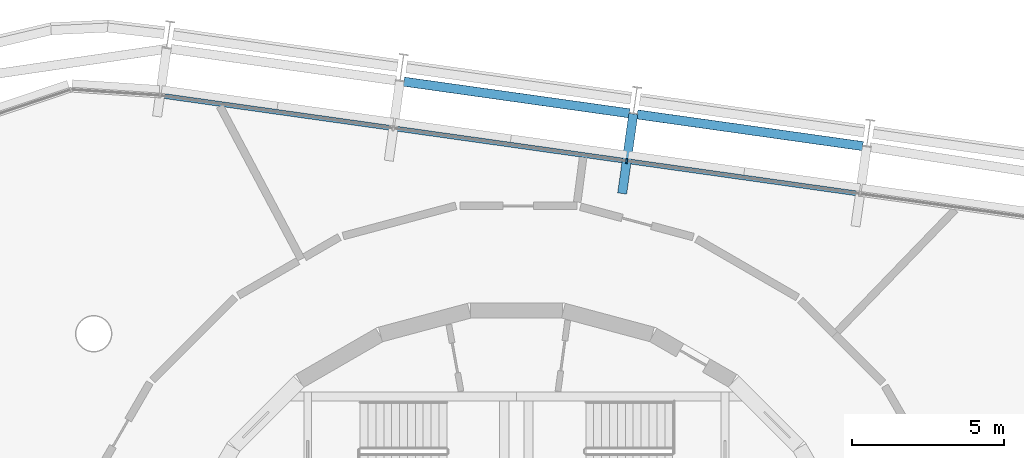
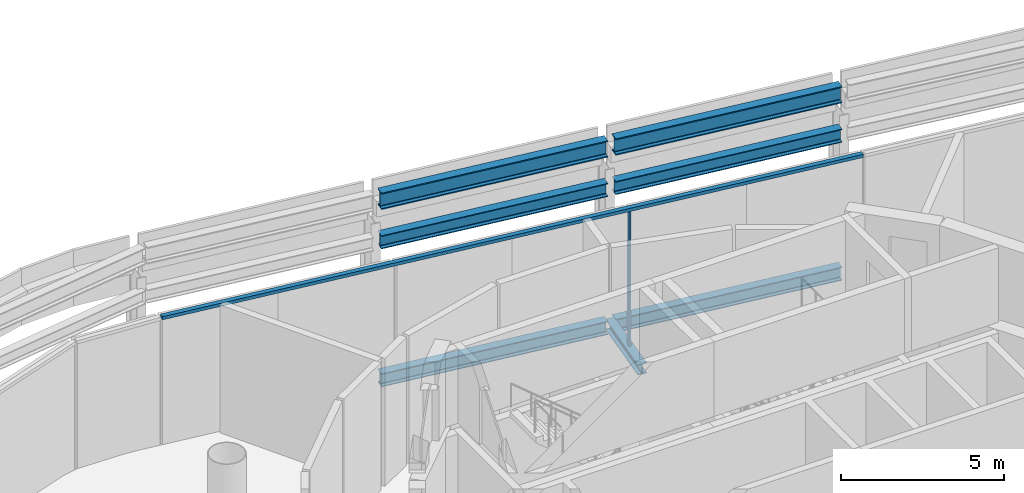
# One storey, part 6 of 15: 7 beams, 2 members, 1 element without a shape of its own.
"""IFC4 building model written with IfcOpenShell, lengths in metres."""

from ifc_helpers import new_model, si_unit, direction, frame, origin, origin_2d, place, context, subcontext, project, spatial, rectangle, i_section, extrude, material, layer, layer_set, material_profile, profile_set, type_object, element, aggregate, save


model = new_model("IFC4")

# Units and contexts
model_context = context("Model", 3, precision=1e-05, world=origin(), true_north=direction((0.0, 1.0)))
body_context = subcontext(model_context, "Body", "Model", "MODEL_VIEW")
ifc_project = project(units=[si_unit("LENGTHUNIT", "METRE"), si_unit("AREAUNIT", "SQUARE_METRE"), si_unit("VOLUMEUNIT", "CUBIC_METRE"), si_unit("PLANEANGLEUNIT", "RADIAN"), si_unit("MASSUNIT", "GRAM", prefix="KILO")], contexts=[model_context])

# Site, building, storey
site_placement = place(None, origin())
site = spatial("IfcSite", under=ifc_project, at=site_placement, CompositionType="ELEMENT")
building_placement = place(site_placement, origin())
building = spatial("IfcBuilding", under=site, at=building_placement, Name="Spindle Arch Residences", CompositionType="ELEMENT")
storey_placement = place(building_placement, frame((0.0, 0.0, 366.199951171875)))
storey = spatial("IfcBuildingStorey", under=building, at=storey_placement, Name="L94", CompositionType="ELEMENT", Elevation=366.199951171875)

# Curtain wall, members
ifc_material_1 = material(Name="Aluminium bronze unitised frame with tinted glass", Category="aluminium")
ifc_layer = layer(ifc_material_1, 0.159912109375)
ifc_layer_set = layer_set([ifc_layer], Name="CW-F crown plant glazed wall")
curtain_wall_type = type_object("IfcCurtainWallType", Name="CW-F crown plant glazed wall", PredefinedType="NOTDEFINED", material=ifc_layer_set)
curtain_wall_placement = place(storey_placement, origin())
curtain_wall = element("IfcCurtainWall", 1, at=curtain_wall_placement, inside=storey, type_object=curtain_wall_type, Name="CW-F L94 run 2", PredefinedType="NOTDEFINED")
ifc_material_2 = material(Name="Aluminium bronze anodised mullion", Category="aluminium")
ifc_material_profile_1 = material_profile(ifc_material_2, rectangle(XDim=0.159912109375, YDim=0.06005859375, at=origin_2d()), Name="MU 60x160")
ifc_profile_set_1 = profile_set([ifc_material_profile_1], Name="Aluminium bronze anodised mullion")
member_type_1 = type_object("IfcMemberType", Name="Bronze mullion 60x160", PredefinedType="MULLION", material=ifc_profile_set_1)
member_1_placement = place(storey_placement, frame((3.63623046875, 16.57373046875, -0.3798828125), z_axis=(0.0, 0.0, 1.0), x_axis=(-0.13917310096, -0.990268068742, 0.0)))
member_1 = element("IfcMember", 2, at=member_1_placement, type_object=member_type_1, Name="CW-F mullion 06", PredefinedType="MULLION", context=body_context, shape_type="SweptSolid", body=[
    extrude(rectangle(XDim=0.159912109375, YDim=0.06005859375, at=origin_2d()), origin(), (0.0, 0.0, 1.0), 5.059814453125),
])
ifc_material_3 = material(Name="Aluminium bronze anodised transom", Category="aluminium")
ifc_material_profile_2 = material_profile(ifc_material_3, rectangle(XDim=0.159912109375, YDim=0.1201171875, at=origin_2d()), Name="TR 120x160")
ifc_profile_set_2 = profile_set([ifc_material_profile_2], Name="Aluminium bronze anodised transom")
member_type_2 = type_object("IfcMemberType", Name="Bronze transom 120x160", PredefinedType="USERDEFINED", material=ifc_profile_set_2)
member_2_placement = place(storey_placement, frame((11.296630859375, 15.4970703125, 4.739990234375), z_axis=(-0.990268437621, 0.13917047622, 0.0), x_axis=(-0.13917047622, -0.990268437621, 0.0)))
member_2 = element("IfcMember", 3, at=member_2_placement, type_object=member_type_2, Name="CW-F transom 00", ObjectType="TRANSOM", PredefinedType="USERDEFINED", context=body_context, shape_type="SweptSolid", body=[
    extrude(rectangle(XDim=0.159912109375, YDim=0.1201171875, at=origin_2d()), origin(), (0.0, 0.0, 1.0), 23.23681640625),
])
aggregate(curtain_wall, [member_2, member_1])

# Beams
ifc_material_4 = material(Name="Steel S460ML, intumescent coating R 120", Category="steel")
ifc_material_profile_3 = material_profile(ifc_material_4, i_section(OverallWidth=0.304931640625, OverallDepth=0.6201171875, WebThickness=0.02099609375, FlangeThickness=0.0400390625, FilletRadius=0.027099609375, at=origin_2d()), Name="HEM 600")
ifc_profile_set_3 = profile_set([ifc_material_profile_3], Name="Steel S460ML, intumescent coating R 120")
beam_type_1 = type_object("IfcBeamType", Name="Crown ring beam HEM 600", PredefinedType="BEAM", material=ifc_profile_set_3)
for number, where, z_axis, x_axis, name in (
    (4, (11.416015625, 17.065673828125, 6.090087890625), (-0.990266388354, 0.139185057015, 0.0), (-0.139185057015, -0.990266388354, 0.0), "Crown ring beam L94 6"),
    (5, (3.72607421875, 18.146484375, 6.090087890625), (-0.990270871131, 0.139153159463, 0.0), (-0.139153159463, -0.990270871131, 0.0), "Crown ring beam L94 7"),
):
    element("IfcBeam", number, at=place(storey_placement, frame(where, z_axis=z_axis, x_axis=x_axis)), inside=storey, type_object=beam_type_1, Name=name, PredefinedType="BEAM", context=body_context, shape_type="SweptSolid", body=[
        extrude(i_section(OverallWidth=0.304931640625, OverallDepth=0.6201171875, WebThickness=0.02099609375, FlangeThickness=0.0400390625, FilletRadius=0.027099609375, at=origin_2d()), origin(), (0.0, 0.0, 1.0), 7.505615234375),
    ])
ifc_material_5 = material(Name="Steel S460ML, intumescent coating R 120", Category="steel")
ifc_material_profile_4 = material_profile(ifc_material_5, i_section(OverallWidth=0.300048828125, OverallDepth=0.5, WebThickness=0.014404296875, FlangeThickness=0.028076171875, FilletRadius=0.027099609375, at=origin_2d()), Name="HEB 500")
ifc_profile_set_4 = profile_set([ifc_material_profile_4], Name="Steel S460ML, intumescent coating R 120")
beam_type_2 = type_object("IfcBeamType", Name="Exoskeleton edge beam HEB 500", PredefinedType="BEAM", material=ifc_profile_set_4)
for number, where, z_axis, x_axis, name in (
    (6, (11.416015625, 17.065673828125, -0.6298828125), (-0.990266388354, 0.139185057015, 0.0), (-0.139185057015, -0.990266388354, 0.0), "Exoskeleton edge beam 6"),
    (7, (3.72607421875, 18.146484375, -0.6298828125), (-0.990270871131, 0.139153159463, 0.0), (-0.139153159463, -0.990270871131, 0.0), "Exoskeleton edge beam 7"),
    (8, (11.416015625, 17.065673828125, 4.550048828125), (-0.990266388354, 0.139185057015, 0.0), (-0.139185057015, -0.990266388354, 0.0), "Exoskeleton edge beam L94 6"),
    (9, (3.72607421875, 18.146484375, 4.550048828125), (-0.990270871131, 0.139153159463, 0.0), (-0.139153159463, -0.990270871131, 0.0), "Exoskeleton edge beam L94 7"),
):
    element("IfcBeam", number, at=place(storey_placement, frame(where, z_axis=z_axis, x_axis=x_axis)), inside=storey, type_object=beam_type_2, Name=name, PredefinedType="BEAM", context=body_context, shape_type="SweptSolid", body=[
        extrude(i_section(OverallWidth=0.300048828125, OverallDepth=0.5, WebThickness=0.014404296875, FlangeThickness=0.028076171875, FilletRadius=0.027099609375, at=origin_2d()), origin(), (0.0, 0.0, 1.0), 7.505615234375),
    ])
ifc_material_6 = material(Name="Steel S460ML, intumescent coating R 120", Category="steel")
ifc_material_profile_5 = material_profile(ifc_material_6, i_section(OverallWidth=0.300048828125, OverallDepth=0.389892578125, WebThickness=0.010986328125, FlangeThickness=0.01904296875, FilletRadius=0.027099609375, at=origin_2d()), Name="HEA 400")
ifc_profile_set_5 = profile_set([ifc_material_profile_5], Name="Steel S460ML, intumescent coating R 120")
beam_type_3 = type_object("IfcBeamType", Name="Floor outrigger HEA 400", PredefinedType="BEAM", material=ifc_profile_set_5)
beam_placement = place(storey_placement, frame((3.854736328125, 18.12841796875, -0.574951171875), z_axis=(-0.13911226088, -0.990276617351, 0.0), x_axis=(0.990276617351, -0.13911226088, 0.0)))
element("IfcBeam", 10, at=beam_placement, inside=storey, type_object=beam_type_3, Name="Floor outrigger 7", PredefinedType="BEAM", context=body_context, shape_type="SweptSolid", body=[
    extrude(i_section(OverallWidth=0.300048828125, OverallDepth=0.389892578125, WebThickness=0.010986328125, FlangeThickness=0.01904296875, FilletRadius=0.027099609375, at=origin_2d()), origin(), (0.0, 0.0, 1.0), 2.650146484375),
])

save(model, "model.ifc")
